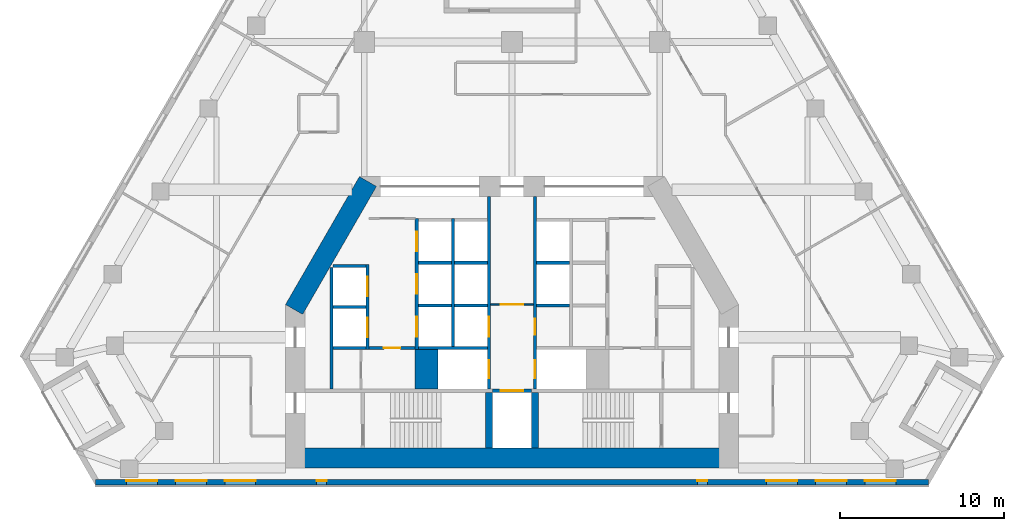
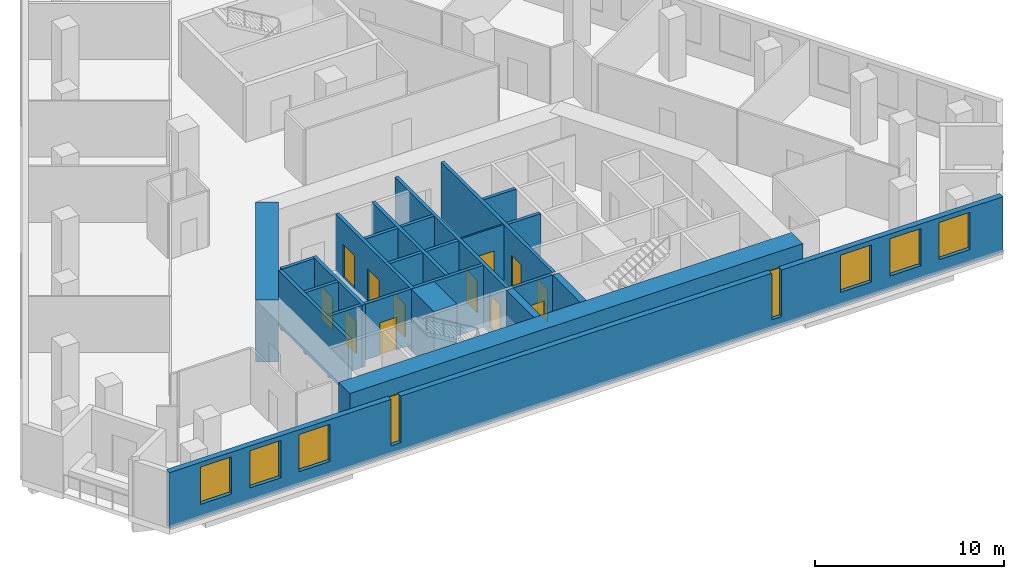
# One storey, part 4 of 10: 25 walls, 12 doors, 8 windows, 20 openings.
"""IFC4 building model written with IfcOpenShell, lengths in metres."""

import ifcopenshell
import ifcopenshell.guid

model = None  # the IFC model being written
_history = None  # IfcOwnerHistory: only IFC2X3 demands one
_inside = {}  # id of a spatial element -> (the spatial element, [elements in it])
_under = {}  # id of a project, library or spatial element -> (it, [spatial elements below it])
_declared = {}  # id of a project -> (the project, [libraries it declares])
_typed = {}  # id of a type object -> (the type object, [elements of that type])
_made_of = {}  # id of a material, layer set ... -> (it, [elements and type objects made of it])


def new_model(schema):
    """Start an empty IFC model of exactly this schema.

    Asked for "IFC4X3", IfcOpenShell would pick the latest addendum, in which some entities
    have other attributes; the version numbers below select the first issue.
    IFC2X3 requires an IfcOwnerHistory on every rooted entity: one is made here for all.
    """
    global model, _history
    if schema == "IFC4X3":
        model = ifcopenshell.file(schema_version=(4, 3, 0, 0))
    else:
        model = ifcopenshell.file(schema=schema)
    _inside.clear()
    _under.clear()
    _declared.clear()
    _typed.clear()
    _made_of.clear()
    _history = None
    if model.schema == "IFC2X3":
        org = make("IfcOrganization", Name="unknown")
        user = make(
            "IfcPersonAndOrganization",
            ThePerson=make("IfcPerson", FamilyName="unknown"),
            TheOrganization=org,
        )
        app = make(
            "IfcApplication",
            ApplicationDeveloper=org,
            Version="unknown",
            ApplicationFullName="unknown",
            ApplicationIdentifier="unknown",
        )
        _history = make(
            "IfcOwnerHistory",
            OwningUser=user,
            OwningApplication=app,
            ChangeAction="ADDED",
            CreationDate=0,
        )
    return model


def make(cls, **values):
    """One entity of the class cls with the attributes given. An attribute that is None is left unset."""
    return model.create_entity(
        cls, **{name: value for name, value in values.items() if value is not None}
    )


def rooted(cls, **values):
    """An entity with a GlobalId (a new one), such as an element, a storey or a relation."""
    return make(cls, GlobalId=ifcopenshell.guid.new(), OwnerHistory=_history, **values)


def si_unit(unit_type, name, prefix=None):
    """IfcSIUnit, for example si_unit("LENGTHUNIT", "METRE", prefix="MILLI")."""
    return make("IfcSIUnit", UnitType=unit_type, Prefix=prefix, Name=name)


def assignment(units):
    """IfcUnitAssignment: the units of a project."""
    return None if units is None else make("IfcUnitAssignment", Units=units)


def point(xyz):
    """IfcCartesianPoint."""
    return None if xyz is None else make("IfcCartesianPoint", Coordinates=xyz)


def direction(xyz):
    """IfcDirection."""
    return None if xyz is None else make("IfcDirection", DirectionRatios=xyz)


def frame(location, z_axis=None, x_axis=None):
    """IfcAxis2Placement3D, a coordinate frame: its origin and axes. An axis left out is left unset."""
    return make(
        "IfcAxis2Placement3D",
        Location=point(location),
        Axis=direction(z_axis),
        RefDirection=direction(x_axis),
    )


def frame_2d(location, x_axis=None):
    """IfcAxis2Placement2D, a coordinate frame in the plane: its origin and x axis."""
    return make(
        "IfcAxis2Placement2D", Location=point(location), RefDirection=direction(x_axis)
    )


def origin():
    """The frame at (0, 0, 0) with its axes left unset."""
    return frame((0.0, 0.0, 0.0))


def place(relative_to, where):
    """IfcLocalPlacement: puts the frame where relative to a parent placement (None: the world)."""
    return make(
        "IfcLocalPlacement", PlacementRelTo=relative_to, RelativePlacement=where
    )


def context(
    kind, dimensions, precision=None, world=None, true_north=None, identifier=None
):
    """IfcGeometricRepresentationContext, for example the 3D "Model" context."""
    return make(
        "IfcGeometricRepresentationContext",
        ContextIdentifier=identifier,
        ContextType=kind,
        CoordinateSpaceDimension=dimensions,
        Precision=precision,
        WorldCoordinateSystem=world,
        TrueNorth=true_north,
    )


def subcontext(parent, identifier, kind, view, scale=None):
    """IfcGeometricRepresentationSubContext, for example "Body" below "Model"."""
    return make(
        "IfcGeometricRepresentationSubContext",
        ContextIdentifier=identifier,
        ContextType=kind,
        ParentContext=parent,
        TargetScale=scale,
        TargetView=view,
    )


def project(units=None, contexts=None):
    """IfcProject with its units and contexts."""
    return rooted(
        "IfcProject",
        Name="project",
        RepresentationContexts=contexts,
        UnitsInContext=assignment(units),
    )


def spatial(cls, under=None, at=None, **own):
    """A site, building, storey or space (cls), placed at a placement, below another one or the project."""
    s = rooted(cls, ObjectPlacement=at, **own)
    if under is not None:
        _under.setdefault(under.id(), (under, []))[1].append(s)
    return s


def profile(cls, at=None, kind="AREA", **sizes):
    """A parametric profile (cls). Its sizes go by their IFC names, for example OverallWidth=200.0."""
    return make(cls, ProfileType=kind, Position=at, **sizes)


def rectangle(**sizes):
    """IfcRectangleProfileDef."""
    return profile("IfcRectangleProfileDef", **sizes)


def extrude(swept, where, along, depth):
    """IfcExtrudedAreaSolid: the profile swept, set in the frame where, extruded along a direction by depth."""
    return make(
        "IfcExtrudedAreaSolid",
        SweptArea=swept,
        Position=where,
        ExtrudedDirection=direction(along),
        Depth=depth,
    )


def shape(context_of_items, identifier, shape_type, items):
    """IfcShapeRepresentation: the items that make up one representation, for example the "Body"."""
    return make(
        "IfcShapeRepresentation",
        ContextOfItems=context_of_items,
        RepresentationIdentifier=identifier,
        RepresentationType=shape_type,
        Items=items,
    )


def material(Name=None, Category=None):
    """IfcMaterial."""
    return make("IfcMaterial", Name=Name, Category=Category)


def layer(
    of_material, thickness, ventilated=None, Name=None, Category=None, Priority=None
):
    """IfcMaterialLayer: one layer of a wall or slab, of a material (None: an air gap)."""
    return make(
        "IfcMaterialLayer",
        Material=of_material,
        LayerThickness=thickness,
        IsVentilated=ventilated,
        Name=Name,
        Category=Category,
        Priority=Priority,
    )


def layer_set(layers, Name=None):
    """IfcMaterialLayerSet."""
    return make("IfcMaterialLayerSet", MaterialLayers=layers, LayerSetName=Name)


def made_of(thing, what):
    """Note that an element or type object is made of a material, layer set ...; save() writes the relation."""
    if what is not None:
        _made_of.setdefault(what.id(), (what, []))[1].append(thing)
    return thing


def type_object(cls, material=None, **own):
    """A type object (cls), such as IfcWallType, which elements share."""
    return made_of(rooted(cls, **own), material)


def element(
    cls,
    number,
    at=None,
    inside=None,
    cuts=None,
    type_object=None,
    material=None,
    context=None,
    identifier="Body",
    shape_type=None,
    held_by="IfcProductDefinitionShape",
    body=None,
    shapes=None,
    **own,
):
    """One element of the class cls, such as IfcWall. Its Tag is "e" and its number.

    at: its placement. inside: the storey or other place that contains it. cuts: it is an
    opening in that element (IfcRelVoidsElement). A single representation is given by context,
    identifier, shape_type and body (its items); several are given by shapes. held_by: the class
    of the entity that holds the representations. save() writes the other relations.
    """
    e = rooted(cls, Tag="e%d" % number, ObjectPlacement=at, **own)
    if body is not None:
        shapes = [shape(context, identifier, shape_type, body)]
    if shapes is not None:
        e.Representation = make(held_by, Representations=shapes)
    if inside is not None:
        _inside.setdefault(inside.id(), (inside, []))[1].append(e)
    if cuts is not None:
        rooted(
            "IfcRelVoidsElement", RelatingBuildingElement=cuts, RelatedOpeningElement=e
        )
    if type_object is not None:
        _typed.setdefault(type_object.id(), (type_object, []))[1].append(e)
    return made_of(e, material)


def fill(opening, filler):
    """IfcRelFillsElement: the door or window that sits in an opening."""
    return rooted(
        "IfcRelFillsElement",
        RelatingOpeningElement=opening,
        RelatedBuildingElement=filler,
    )


def aggregate(whole, parts):
    """IfcRelAggregates: a whole, such as a stair, and the parts it consists of."""
    return rooted("IfcRelAggregates", RelatingObject=whole, RelatedObjects=parts)


def save(model, path):
    """Write the relations noted so far, then the file.

    IfcRelAggregates (storeys below a building ...), IfcRelContainedInSpatialStructure (elements
    in a storey), IfcRelDefinesByType, IfcRelAssociatesMaterial and IfcRelDeclares: one each for
    every whole, place, type object, material and project.
    """
    for whole, parts in _under.values():
        aggregate(whole, parts)
    for where, things in _inside.values():
        rooted(
            "IfcRelContainedInSpatialStructure",
            RelatedElements=things,
            RelatingStructure=where,
        )
    for kind, things in _typed.values():
        rooted("IfcRelDefinesByType", RelatedObjects=things, RelatingType=kind)
    for what, things in _made_of.values():
        rooted("IfcRelAssociatesMaterial", RelatedObjects=things, RelatingMaterial=what)
    for by, libraries in _declared.values():
        rooted("IfcRelDeclares", RelatingContext=by, RelatedDefinitions=libraries)
    model.write(path)


model = new_model("IFC4")

# Units and contexts
model_context = context("Model", 3, precision=1e-05, world=origin(), true_north=direction((0.0, 1.0)))
body_context = subcontext(model_context, "Body", "Model", "MODEL_VIEW")
ifc_project = project(units=[si_unit("LENGTHUNIT", "METRE"), si_unit("AREAUNIT", "SQUARE_METRE"), si_unit("VOLUMEUNIT", "CUBIC_METRE"), si_unit("PLANEANGLEUNIT", "RADIAN"), si_unit("MASSUNIT", "GRAM", prefix="KILO")], contexts=[model_context])

# Site, building, storey
site_placement = place(None, origin())
site = spatial("IfcSite", under=ifc_project, at=site_placement, CompositionType="ELEMENT")
building_placement = place(site_placement, origin())
building = spatial("IfcBuilding", under=site, at=building_placement, Name="Fogline Exchange Tower", CompositionType="ELEMENT")
storey_placement = place(building_placement, frame((0.0, 0.0, 128.10009765625)))
storey = spatial("IfcBuildingStorey", under=building, at=storey_placement, Name="L28", CompositionType="ELEMENT", Elevation=128.10009765625)

# Wall, opening, door
ifc_material_1 = material(Name="Blockwork partition", Category="masonry")
ifc_layer_1 = layer(ifc_material_1, 0.10009765625)
ifc_layer_set_1 = layer_set([ifc_layer_1], Name="CW10")
wall_type_1 = type_object("IfcWallType", Name="CW10", PredefinedType="PARTITIONING", material=ifc_layer_set_1)
wall_1_placement = place(storey_placement, frame((-1.300048828125, 11.0, 0.0), z_axis=(0.0, 0.0, 1.0), x_axis=(1.0, 0.0, 0.0)))
wall_1 = element("IfcWall", 1, at=wall_1_placement, inside=storey, type_object=wall_type_1, Name="Lift lobby partition", PredefinedType="PARTITIONING", context=body_context, shape_type="SweptSolid", body=[
    extrude(rectangle(XDim=2.60009765625, YDim=0.10009765625, at=frame_2d((1.300048828125, 0.0))), origin(), (0.0, 0.0, 1.0), 3.599853515625),
])
opening_1_placement = place(wall_1_placement, frame((0.60009765625, 0.0, 0.0)))
opening_1 = element("IfcOpeningElement", 2, at=opening_1_placement, cuts=wall_1, Name="Opening T08-C019", PredefinedType="OPENING", context=body_context, shape_type="SweptSolid", body=[
    extrude(rectangle(XDim=1.39990234375, YDim=2.10009765625, at=frame_2d((0.699951171875, 1.050048828125))), frame((0.0, 0.06005859375, 0.0), z_axis=(0.0, -1.0, 0.0), x_axis=(1.0, 0.0, 0.0)), (0.0, 0.0, 1.0), 0.1201171875),
])
ifc_material_2 = material(Name="Steel and timber fire door", Category="steel")
door_type_1 = type_object("IfcDoorType", Name="D-LB1", OperationType="DOUBLE_DOOR_SINGLE_SWING", PredefinedType="DOOR", material=ifc_material_2)
door_1_placement = place(opening_1_placement, frame((1.39990234375, 0.0, 0.0), z_axis=(0.0, 0.0, 1.0), x_axis=(-1.0, 0.0, 0.0)))
door_1 = element("IfcDoor", 3, at=door_1_placement, inside=storey, type_object=door_type_1, Name="Door to firefighting lift lobby", OperationType="DOUBLE_DOOR_SINGLE_SWING", OverallHeight=2.10009765625, OverallWidth=1.39990234375, PredefinedType="DOOR", context=body_context, shape_type="SweptSolid", body=[
    extrude(rectangle(XDim=1.39990234375, YDim=2.10009765625, at=frame_2d((0.699951171875, 1.050048828125))), frame((0.0, 0.02490234375, 0.0), z_axis=(0.0, -1.0, 0.0), x_axis=(1.0, 0.0, 0.0)), (0.0, 0.0, 1.0), 0.050048828125),
])
fill(opening_1, door_1)

# Walls
ifc_material_3 = material(Name="Concrete C60", Category="concrete")
ifc_layer_2 = layer(ifc_material_3, 1.39990234375)
ifc_layer_set_2 = layer_set([ifc_layer_2], Name="CW140")
wall_type_2 = type_object("IfcWallType", Name="CW140", PredefinedType="SOLIDWALL", material=ifc_layer_set_2)
wall_2_placement = place(storey_placement, frame((-5.199951171875, 5.85009765625, -0.400146484375), z_axis=(0.0, 0.0, 1.0), x_axis=(0.0, 1.0, 0.0)))
element("IfcWall", 4, at=wall_2_placement, inside=storey, type_object=wall_type_2, Name="Lift shaft block wall", PredefinedType="SOLIDWALL", context=body_context, shape_type="SweptSolid", body=[
    extrude(rectangle(XDim=2.39990234375, YDim=1.39990234375, at=frame_2d((1.199951171875, 0.0))), origin(), (0.0, 0.0, 1.0), 4.0),
])
ifc_material_4 = material(Name="Concrete C40", Category="concrete")
ifc_layer_3 = layer(ifc_material_4, 0.199951171875)
ifc_layer_set_3 = layer_set([ifc_layer_3], Name="CW20")
wall_type_3 = type_object("IfcWallType", Name="CW20", PredefinedType="SOLIDWALL", material=ifc_layer_set_3)
wall_3_placement = place(storey_placement, frame((-11.0, 5.85009765625, 0.0), z_axis=(0.0, 0.0, 1.0), x_axis=(0.0, 1.0, 0.0)))
element("IfcWall", 5, at=wall_3_placement, inside=storey, type_object=wall_type_3, Name="Service room wall", PredefinedType="SOLIDWALL", context=body_context, shape_type="SweptSolid", body=[
    extrude(rectangle(XDim=7.39990234375, YDim=0.199951171875, at=frame_2d((3.699951171875, 0.0))), origin(), (0.0, 0.0, 1.0), 3.599853515625),
])

# Wall, opening, door
wall_4_placement = place(storey_placement, frame((-8.699951171875, 8.35009765625, 0.0), z_axis=(0.0, 0.0, 1.0), x_axis=(1.0, 0.0, 0.0)))
wall_4 = element("IfcWall", 6, at=wall_4_placement, inside=storey, type_object=wall_type_3, Name="WC wall", PredefinedType="SOLIDWALL", context=body_context, shape_type="SweptSolid", body=[
    extrude(rectangle(XDim=2.800048828125, YDim=0.199951171875, at=frame_2d((1.39990234375, 0.0))), origin(), (0.0, 0.0, 1.0), 3.599853515625),
])
opening_2_placement = place(wall_4_placement, frame((0.89990234375, 0.0, 0.0)))
opening_2 = element("IfcOpeningElement", 7, at=opening_2_placement, cuts=wall_4, Name="Opening T08-C008", PredefinedType="OPENING", context=body_context, shape_type="SweptSolid", body=[
    extrude(rectangle(XDim=1.0, YDim=2.10009765625, at=frame_2d((0.5, 1.050048828125))), frame((0.0, 0.10986328125, 0.0), z_axis=(0.0, -1.0, 0.0), x_axis=(1.0, 0.0, 0.0)), (0.0, 0.0, 1.0), 0.219970703125),
])
door_type_2 = type_object("IfcDoorType", Name="D-WC1", OperationType="SINGLE_SWING_LEFT", PredefinedType="DOOR", material=ifc_material_2)
door_2_placement = place(opening_2_placement, frame((1.0, 0.0, 0.0), z_axis=(0.0, 0.0, 1.0), x_axis=(-1.0, 0.0, 0.0)))
door_2 = element("IfcDoor", 8, at=door_2_placement, inside=storey, type_object=door_type_2, Name="Door to Men's WC", OperationType="SINGLE_SWING_LEFT", OverallHeight=2.10009765625, OverallWidth=1.0, PredefinedType="DOOR", context=body_context, shape_type="SweptSolid", body=[
    extrude(rectangle(XDim=1.0, YDim=2.10009765625, at=frame_2d((0.5, 1.050048828125))), frame((0.0, 0.02490234375, 0.0), z_axis=(0.0, -1.0, 0.0), x_axis=(1.0, 0.0, 0.0)), (0.0, 0.0, 1.0), 0.050048828125),
])
fill(opening_2, door_2)

ifc_layer_4 = layer(ifc_material_4, 0.199951171875)
ifc_layer_set_4 = layer_set([ifc_layer_4], Name="CW20R")
wall_type_4 = type_object("IfcWallType", Name="CW20R", PredefinedType="SOLIDWALL", material=ifc_layer_set_4)
wall_5_placement = place(storey_placement, frame((-1.199951171875, 5.75, -0.400146484375), z_axis=(0.0, 0.0, 1.0), x_axis=(1.0, 0.0, 0.0)))
wall_5 = element("IfcWall", 9, at=wall_5_placement, inside=storey, type_object=wall_type_4, Name="Stair enclosure wall", PredefinedType="SOLIDWALL", context=body_context, shape_type="SweptSolid", body=[
    extrude(rectangle(XDim=2.39990234375, YDim=0.199951171875, at=frame_2d((1.199951171875, 0.0))), origin(), (0.0, 0.0, 1.0), 4.0),
])
opening_3_placement = place(wall_5_placement, frame((0.5, 0.0, 0.39990234375)))
opening_3 = element("IfcOpeningElement", 10, at=opening_3_placement, cuts=wall_5, Name="Opening T08-LD09", PredefinedType="OPENING", context=body_context, shape_type="SweptSolid", body=[
    extrude(rectangle(XDim=1.39990234375, YDim=2.10009765625, at=frame_2d((0.699951171875, 1.050048828125))), frame((0.0, 0.10986328125, 0.0), z_axis=(0.0, -1.0, 0.0), x_axis=(1.0, 0.0, 0.0)), (0.0, 0.0, 1.0), 0.219970703125),
])
door_type_3 = type_object("IfcDoorType", Name="LD3", OperationType="SLIDING_TO_LEFT", PredefinedType="DOOR", material=ifc_material_2)
door_3_placement = place(opening_3_placement, origin())
door_3 = element("IfcDoor", 11, at=door_3_placement, inside=storey, type_object=door_type_3, Name="Landing door GL1", OperationType="SLIDING_TO_LEFT", OverallHeight=2.10009765625, OverallWidth=1.39990234375, PredefinedType="DOOR", context=body_context, shape_type="SweptSolid", body=[
    extrude(rectangle(XDim=1.39990234375, YDim=2.10009765625, at=frame_2d((0.699951171875, 1.050048828125))), frame((0.0, 0.02490234375, 0.0), z_axis=(0.0, -1.0, 0.0), x_axis=(1.0, 0.0, 0.0)), (0.0, 0.0, 1.0), 0.050048828125),
])
fill(opening_3, door_3)

# Wall, openings, doors
ifc_layer_5 = layer(ifc_material_4, 0.199951171875)
ifc_layer_set_5 = layer_set([ifc_layer_5], Name="CW20S")
wall_type_5 = type_object("IfcWallType", Name="CW20S", PredefinedType="SOLIDWALL", material=ifc_layer_set_5)
wall_6_placement = place(storey_placement, frame((-8.800048828125, 8.25, -0.400146484375), z_axis=(0.0, 0.0, 1.0), x_axis=(0.0, 1.0, 0.0)))
wall_6 = element("IfcWall", 12, at=wall_6_placement, inside=storey, type_object=wall_type_5, Name="Lift shaft wall", PredefinedType="SOLIDWALL", context=body_context, shape_type="SweptSolid", body=[
    extrude(rectangle(XDim=5.199951171875, YDim=0.199951171875, at=frame_2d((2.60009765625, 0.0))), origin(), (0.0, 0.0, 1.0), 4.0),
])
opening_4_placement = place(wall_6_placement, frame((0.75, 0.0, 0.39990234375)))
opening_4 = element("IfcOpeningElement", 13, at=opening_4_placement, cuts=wall_6, Name="Opening T08-LD01", PredefinedType="OPENING", context=body_context, shape_type="SweptSolid", body=[
    extrude(rectangle(XDim=1.199951171875, YDim=2.10009765625, at=frame_2d((0.60009765625, 1.050048828125))), frame((0.0, 0.10986328125, 0.0), z_axis=(0.0, -1.0, 0.0), x_axis=(1.0, 0.0, 0.0)), (0.0, 0.0, 1.0), 0.219970703125),
])
opening_5_placement = place(wall_6_placement, frame((3.25, 0.0, 0.39990234375)))
opening_5 = element("IfcOpeningElement", 14, at=opening_5_placement, cuts=wall_6, Name="Opening T08-LD02", PredefinedType="OPENING", context=body_context, shape_type="SweptSolid", body=[
    extrude(rectangle(XDim=1.199951171875, YDim=2.10009765625, at=frame_2d((0.60009765625, 1.050048828125))), frame((0.0, 0.10986328125, 0.0), z_axis=(0.0, -1.0, 0.0), x_axis=(1.0, 0.0, 0.0)), (0.0, 0.0, 1.0), 0.219970703125),
])
door_type_4 = type_object("IfcDoorType", Name="LD1", OperationType="SLIDING_TO_LEFT", PredefinedType="DOOR", material=ifc_material_2)
door_4_placement = place(opening_4_placement, origin())
door_4 = element("IfcDoor", 15, at=door_4_placement, inside=storey, type_object=door_type_4, Name="Landing door LR1", OperationType="SLIDING_TO_LEFT", OverallHeight=2.10009765625, OverallWidth=1.199951171875, PredefinedType="DOOR", context=body_context, shape_type="SweptSolid", body=[
    extrude(rectangle(XDim=1.199951171875, YDim=2.10009765625, at=frame_2d((0.60009765625, 1.050048828125))), frame((0.0, 0.02490234375, 0.0), z_axis=(0.0, -1.0, 0.0), x_axis=(1.0, 0.0, 0.0)), (0.0, 0.0, 1.0), 0.050048828125),
])
fill(opening_4, door_4)
door_5_placement = place(opening_5_placement, origin())
door_5 = element("IfcDoor", 16, at=door_5_placement, inside=storey, type_object=door_type_4, Name="Landing door LR2", OperationType="SLIDING_TO_LEFT", OverallHeight=2.10009765625, OverallWidth=1.199951171875, PredefinedType="DOOR", context=body_context, shape_type="SweptSolid", body=[
    extrude(rectangle(XDim=1.199951171875, YDim=2.10009765625, at=frame_2d((0.60009765625, 1.050048828125))), frame((0.0, 0.02490234375, 0.0), z_axis=(0.0, -1.0, 0.0), x_axis=(1.0, 0.0, 0.0)), (0.0, 0.0, 1.0), 0.050048828125),
])
fill(opening_5, door_5)

wall_7_placement = place(storey_placement, frame((-5.800048828125, 8.25, -0.400146484375), z_axis=(0.0, 0.0, 1.0), x_axis=(0.0, 1.0, 0.0)))
wall_7 = element("IfcWall", 17, at=wall_7_placement, inside=storey, type_object=wall_type_5, Name="Lift shaft wall", PredefinedType="SOLIDWALL", context=body_context, shape_type="SweptSolid", body=[
    extrude(rectangle(XDim=8.0, YDim=0.199951171875, at=frame_2d((4.0, 0.0))), origin(), (0.0, 0.0, 1.0), 4.0),
])
opening_6_placement = place(wall_7_placement, frame((0.800048828125, 0.0, 0.39990234375)))
opening_6 = element("IfcOpeningElement", 18, at=opening_6_placement, cuts=wall_7, Name="Opening T08-LD03", PredefinedType="OPENING", context=body_context, shape_type="SweptSolid", body=[
    extrude(rectangle(XDim=1.199951171875, YDim=2.10009765625, at=frame_2d((0.60009765625, 1.050048828125))), frame((0.0, 0.10986328125, 0.0), z_axis=(0.0, -1.0, 0.0), x_axis=(1.0, 0.0, 0.0)), (0.0, 0.0, 1.0), 0.219970703125),
])
opening_7_placement = place(wall_7_placement, frame((3.39990234375, 0.0, 0.39990234375)))
opening_7 = element("IfcOpeningElement", 19, at=opening_7_placement, cuts=wall_7, Name="Opening T08-LD04", PredefinedType="OPENING", context=body_context, shape_type="SweptSolid", body=[
    extrude(rectangle(XDim=1.199951171875, YDim=2.10009765625, at=frame_2d((0.60009765625, 1.050048828125))), frame((0.0, 0.10986328125, 0.0), z_axis=(0.0, -1.0, 0.0), x_axis=(1.0, 0.0, 0.0)), (0.0, 0.0, 1.0), 0.219970703125),
])
opening_8_placement = place(wall_7_placement, frame((6.0, 0.0, 0.39990234375)))
opening_8 = element("IfcOpeningElement", 20, at=opening_8_placement, cuts=wall_7, Name="Opening T08-LD05", PredefinedType="OPENING", context=body_context, shape_type="SweptSolid", body=[
    extrude(rectangle(XDim=1.199951171875, YDim=2.10009765625, at=frame_2d((0.60009765625, 1.050048828125))), frame((0.0, 0.10986328125, 0.0), z_axis=(0.0, -1.0, 0.0), x_axis=(1.0, 0.0, 0.0)), (0.0, 0.0, 1.0), 0.219970703125),
])
door_6_placement = place(opening_6_placement, origin())
door_6 = element("IfcDoor", 21, at=door_6_placement, inside=storey, type_object=door_type_4, Name="Landing door LR3", OperationType="SLIDING_TO_LEFT", OverallHeight=2.10009765625, OverallWidth=1.199951171875, PredefinedType="DOOR", context=body_context, shape_type="SweptSolid", body=[
    extrude(rectangle(XDim=1.199951171875, YDim=2.10009765625, at=frame_2d((0.60009765625, 1.050048828125))), frame((0.0, 0.02490234375, 0.0), z_axis=(0.0, -1.0, 0.0), x_axis=(1.0, 0.0, 0.0)), (0.0, 0.0, 1.0), 0.050048828125),
])
fill(opening_6, door_6)
door_7_placement = place(opening_7_placement, origin())
door_7 = element("IfcDoor", 22, at=door_7_placement, inside=storey, type_object=door_type_4, Name="Landing door LR4", OperationType="SLIDING_TO_LEFT", OverallHeight=2.10009765625, OverallWidth=1.199951171875, PredefinedType="DOOR", context=body_context, shape_type="SweptSolid", body=[
    extrude(rectangle(XDim=1.199951171875, YDim=2.10009765625, at=frame_2d((0.60009765625, 1.050048828125))), frame((0.0, 0.02490234375, 0.0), z_axis=(0.0, -1.0, 0.0), x_axis=(1.0, 0.0, 0.0)), (0.0, 0.0, 1.0), 0.050048828125),
])
fill(opening_7, door_7)
door_8_placement = place(opening_8_placement, origin())
door_8 = element("IfcDoor", 23, at=door_8_placement, inside=storey, type_object=door_type_4, Name="Landing door LR5", OperationType="SLIDING_TO_LEFT", OverallHeight=2.10009765625, OverallWidth=1.199951171875, PredefinedType="DOOR", context=body_context, shape_type="SweptSolid", body=[
    extrude(rectangle(XDim=1.199951171875, YDim=2.10009765625, at=frame_2d((0.60009765625, 1.050048828125))), frame((0.0, 0.02490234375, 0.0), z_axis=(0.0, -1.0, 0.0), x_axis=(1.0, 0.0, 0.0)), (0.0, 0.0, 1.0), 0.050048828125),
])
fill(opening_8, door_8)

# Wall
wall_8_placement = place(storey_placement, frame((-3.60009765625, 8.449951171875, -0.400146484375), z_axis=(0.0, 0.0, 1.0), x_axis=(0.0, 1.0, 0.0)))
element("IfcWall", 24, at=wall_8_placement, inside=storey, type_object=wall_type_5, Name="Lift shaft wall", PredefinedType="SOLIDWALL", context=body_context, shape_type="SweptSolid", body=[
    extrude(rectangle(XDim=7.800048828125, YDim=0.199951171875, at=frame_2d((3.89990234375, 0.0))), origin(), (0.0, 0.0, 1.0), 4.0),
])

# Wall, openings, doors
wall_9_placement = place(storey_placement, frame((-1.39990234375, 5.85009765625, -0.400146484375), z_axis=(0.0, 0.0, 1.0), x_axis=(0.0, 1.0, 0.0)))
wall_9 = element("IfcWall", 25, at=wall_9_placement, inside=storey, type_object=wall_type_5, Name="Lift lobby wall", PredefinedType="SOLIDWALL", context=body_context, shape_type="SweptSolid", body=[
    extrude(rectangle(XDim=11.75, YDim=0.199951171875, at=frame_2d((5.875, 0.0))), origin(), (0.0, 0.0, 1.0), 4.0),
])
opening_9_placement = place(wall_9_placement, frame((3.199951171875, 0.0, 0.39990234375)))
opening_9 = element("IfcOpeningElement", 26, at=opening_9_placement, cuts=wall_9, Name="Opening T08-LD06", PredefinedType="OPENING", context=body_context, shape_type="SweptSolid", body=[
    extrude(rectangle(XDim=1.199951171875, YDim=2.10009765625, at=frame_2d((0.60009765625, 1.050048828125))), frame((0.0, 0.10986328125, 0.0), z_axis=(0.0, -1.0, 0.0), x_axis=(1.0, 0.0, 0.0)), (0.0, 0.0, 1.0), 0.219970703125),
])
opening_10_placement = place(wall_9_placement, frame((0.64990234375, 0.0, 0.39990234375)))
opening_10 = element("IfcOpeningElement", 27, at=opening_10_placement, cuts=wall_9, Name="Opening T08-LD07", PredefinedType="OPENING", context=body_context, shape_type="SweptSolid", body=[
    extrude(rectangle(XDim=1.10009765625, YDim=2.10009765625, at=frame_2d((0.550048828125, 1.050048828125))), frame((0.0, 0.10986328125, 0.0), z_axis=(0.0, -1.0, 0.0), x_axis=(1.0, 0.0, 0.0)), (0.0, 0.0, 1.0), 0.219970703125),
])
door_9_placement = place(opening_9_placement, origin())
door_9 = element("IfcDoor", 28, at=door_9_placement, inside=storey, type_object=door_type_4, Name="Landing door LR6", OperationType="SLIDING_TO_LEFT", OverallHeight=2.10009765625, OverallWidth=1.199951171875, PredefinedType="DOOR", context=body_context, shape_type="SweptSolid", body=[
    extrude(rectangle(XDim=1.199951171875, YDim=2.10009765625, at=frame_2d((0.60009765625, 1.050048828125))), frame((0.0, 0.02490234375, 0.0), z_axis=(0.0, -1.0, 0.0), x_axis=(1.0, 0.0, 0.0)), (0.0, 0.0, 1.0), 0.050048828125),
])
fill(opening_9, door_9)
door_type_5 = type_object("IfcDoorType", Name="LD2", OperationType="SLIDING_TO_RIGHT", PredefinedType="DOOR", material=ifc_material_2)
door_10_placement = place(opening_10_placement, origin())
door_10 = element("IfcDoor", 29, at=door_10_placement, inside=storey, type_object=door_type_5, Name="Landing door FF1", OperationType="SLIDING_TO_RIGHT", OverallHeight=2.10009765625, OverallWidth=1.10009765625, PredefinedType="DOOR", context=body_context, shape_type="SweptSolid", body=[
    extrude(rectangle(XDim=1.10009765625, YDim=2.10009765625, at=frame_2d((0.550048828125, 1.050048828125))), frame((0.0, 0.02490234375, 0.0), z_axis=(0.0, -1.0, 0.0), x_axis=(1.0, 0.0, 0.0)), (0.0, 0.0, 1.0), 0.050048828125),
])
fill(opening_10, door_10)

wall_10_placement = place(storey_placement, frame((1.39990234375, 5.85009765625, -0.400146484375), z_axis=(0.0, 0.0, 1.0), x_axis=(0.0, 1.0, 0.0)))
wall_10 = element("IfcWall", 30, at=wall_10_placement, inside=storey, type_object=wall_type_5, Name="Lift lobby wall", PredefinedType="SOLIDWALL", context=body_context, shape_type="SweptSolid", body=[
    extrude(rectangle(XDim=11.75, YDim=0.199951171875, at=frame_2d((5.875, 0.0))), origin(), (0.0, 0.0, 1.0), 4.0),
])
opening_11_placement = place(wall_10_placement, frame((0.64990234375, 0.0, 0.39990234375)))
opening_11 = element("IfcOpeningElement", 31, at=opening_11_placement, cuts=wall_10, Name="Opening T08-LD08", PredefinedType="OPENING", context=body_context, shape_type="SweptSolid", body=[
    extrude(rectangle(XDim=1.10009765625, YDim=2.10009765625, at=frame_2d((0.550048828125, 1.050048828125))), frame((0.0, 0.10986328125, 0.0), z_axis=(0.0, -1.0, 0.0), x_axis=(1.0, 0.0, 0.0)), (0.0, 0.0, 1.0), 0.219970703125),
])
opening_12_placement = place(wall_10_placement, frame((3.300048828125, 0.0, 0.39990234375)))
opening_12 = element("IfcOpeningElement", 32, at=opening_12_placement, cuts=wall_10, Name="Opening T08-C006", PredefinedType="OPENING", context=body_context, shape_type="SweptSolid", body=[
    extrude(rectangle(XDim=1.0, YDim=2.10009765625, at=frame_2d((0.5, 1.050048828125))), frame((0.0, 0.10986328125, 0.0), z_axis=(0.0, -1.0, 0.0), x_axis=(1.0, 0.0, 0.0)), (0.0, 0.0, 1.0), 0.219970703125),
])
door_type_6 = type_object("IfcDoorType", Name="D-RM1", OperationType="SINGLE_SWING_LEFT", PredefinedType="DOOR", material=ifc_material_2)
door_11_placement = place(opening_12_placement, frame((1.0, 0.0, 0.0), z_axis=(0.0, 0.0, 1.0), x_axis=(-1.0, 0.0, 0.0)))
door_11 = element("IfcDoor", 33, at=door_11_placement, inside=storey, type_object=door_type_6, Name="Door to Archive Store", OperationType="SINGLE_SWING_RIGHT", OverallHeight=2.10009765625, OverallWidth=1.0, PredefinedType="DOOR", context=body_context, shape_type="SweptSolid", body=[
    extrude(rectangle(XDim=1.0, YDim=2.10009765625, at=frame_2d((0.5, 1.050048828125))), frame((0.0, 0.02490234375, 0.0), z_axis=(0.0, -1.0, 0.0), x_axis=(1.0, 0.0, 0.0)), (0.0, 0.0, 1.0), 0.050048828125),
])
fill(opening_12, door_11)
door_12_placement = place(opening_11_placement, origin())
door_12 = element("IfcDoor", 34, at=door_12_placement, inside=storey, type_object=door_type_5, Name="Landing door FF2", OperationType="SLIDING_TO_RIGHT", OverallHeight=2.10009765625, OverallWidth=1.10009765625, PredefinedType="DOOR", context=body_context, shape_type="SweptSolid", body=[
    extrude(rectangle(XDim=1.10009765625, YDim=2.10009765625, at=frame_2d((0.550048828125, 1.050048828125))), frame((0.0, 0.02490234375, 0.0), z_axis=(0.0, -1.0, 0.0), x_axis=(1.0, 0.0, 0.0)), (0.0, 0.0, 1.0), 0.050048828125),
])
fill(opening_11, door_12)

# Walls
wall_11_placement = place(storey_placement, frame((-10.89990234375, 8.35009765625, -0.400146484375), z_axis=(0.0, 0.0, 1.0), x_axis=(1.0, 0.0, 0.0)))
element("IfcWall", 35, at=wall_11_placement, inside=storey, type_object=wall_type_5, Name="Lift shaft wall", PredefinedType="SOLIDWALL", context=body_context, shape_type="SweptSolid", body=[
    extrude(rectangle(XDim=2.0, YDim=0.199951171875, at=frame_2d((1.0, 0.0))), origin(), (0.0, 0.0, 1.0), 4.0),
])
wall_12_placement = place(storey_placement, frame((-5.699951171875, 8.35009765625, -0.400146484375), z_axis=(0.0, 0.0, 1.0), x_axis=(1.0, 0.0, 0.0)))
element("IfcWall", 36, at=wall_12_placement, inside=storey, type_object=wall_type_5, Name="Lift shaft wall", PredefinedType="SOLIDWALL", context=body_context, shape_type="SweptSolid", body=[
    extrude(rectangle(XDim=4.199951171875, YDim=0.199951171875, at=frame_2d((2.10009765625, 0.0))), origin(), (0.0, 0.0, 1.0), 4.0),
])
for number, where, z_axis, x_axis, name in (
    (37, (-10.89990234375, 10.85009765625, -0.400146484375), (0.0, 0.0, 1.0), (1.0, 0.0, 0.0), "Lift shaft wall"),
    (38, (-10.89990234375, 13.35009765625, -0.400146484375), (0.0, 0.0, 1.0), (1.0, 0.0, 0.0), "Lift shaft wall"),
    (39, (-5.699951171875, 10.949951171875, -0.400146484375), (0.0, 0.0, 1.0), (1.0, 0.0, 0.0), "Lift shaft wall"),
    (40, (-5.699951171875, 13.550048828125, -0.400146484375), (0.0, 0.0, 1.0), (1.0, 0.0, 0.0), "Lift shaft wall"),
    (41, (-3.5, 10.949951171875, -0.400146484375), (0.0, 0.0, 1.0), (1.0, 0.0, 0.0), "Lift shaft wall"),
    (42, (-3.5, 13.550048828125, -0.400146484375), (0.0, 0.0, 1.0), (1.0, 0.0, 0.0), "Lift shaft wall"),
    (43, (1.5, 10.949951171875, -0.400146484375), (0.0, 0.0, 1.0), (1.0, 0.0, 0.0), "Lift shaft wall"),
    (44, (1.5, 13.550048828125, -0.400146484375), (0.0, 0.0, 1.0), (1.0, 0.0, 0.0), "Lift shaft wall"),
):
    element("IfcWall", number, at=place(storey_placement, frame(where, z_axis=z_axis, x_axis=x_axis)), inside=storey, type_object=wall_type_5, Name=name, PredefinedType="SOLIDWALL", context=body_context, shape_type="SweptSolid", body=[
        extrude(rectangle(XDim=2.0, YDim=0.199951171875, at=frame_2d((1.0, 0.0))), origin(), (0.0, 0.0, 1.0), 4.0),
    ])
ifc_layer_6 = layer(ifc_material_4, 0.39990234375)
ifc_layer_set_6 = layer_set([ifc_layer_6], Name="CW40R")
wall_type_6 = type_object("IfcWallType", Name="CW40R", PredefinedType="SOLIDWALL", material=ifc_layer_set_6)
for number, where, z_axis, x_axis, name in (
    (45, (-1.39990234375, 2.25, -0.400146484375), (0.0, 0.0, 1.0), (0.0, 1.0, 0.0), "Stair and lift shaft wall"),
    (46, (1.39990234375, 2.25, -0.400146484375), (0.0, 0.0, 1.0), (0.0, 1.0, 0.0), "Stair and lift shaft wall"),
):
    element("IfcWall", number, at=place(storey_placement, frame(where, z_axis=z_axis, x_axis=x_axis)), inside=storey, type_object=wall_type_6, Name=name, PredefinedType="SOLIDWALL", context=body_context, shape_type="SweptSolid", body=[
        extrude(rectangle(XDim=3.39990234375, YDim=0.39990234375, at=frame_2d((1.699951171875, 0.0))), origin(), (0.0, 0.0, 1.0), 4.0),
    ])

# Wall, openings, windows
ifc_material_5 = material(Name="Brick masonry", Category="masonry")
ifc_layer_7 = layer(ifc_material_5, 0.340087890625)
ifc_layer_set_7 = layer_set([ifc_layer_7], Name="FW1")
wall_type_7 = type_object("IfcWallType", Name="FW1", PredefinedType="SOLIDWALL", material=ifc_layer_set_7)
wall_13_placement = place(storey_placement, frame((-25.393310546875, 0.169921875, 0.0), z_axis=(0.0, 0.0, 1.0), x_axis=(1.0, 0.0, 0.0)))
wall_13 = element("IfcWall", 47, at=wall_13_placement, inside=storey, type_object=wall_type_7, Name="Brick wall L28 S", PredefinedType="SOLIDWALL", context=body_context, shape_type="SweptSolid", body=[
    extrude(rectangle(XDim=50.78662109375, YDim=0.340087890625, at=frame_2d((25.393310546875, 0.0))), origin(), (0.0, 0.0, 1.0), 3.599853515625),
])
opening_13_placement = place(wall_13_placement, frame((1.893310546875, 0.0, 0.89990234375)))
opening_13 = element("IfcOpeningElement", 48, at=opening_13_placement, cuts=wall_13, Name="Opening W1", PredefinedType="OPENING", context=body_context, shape_type="SweptSolid", body=[
    extrude(rectangle(XDim=1.885009765625, YDim=2.39990234375, at=frame_2d((0.9423828125, 1.199951171875))), frame((0.0, 0.18017578125, 0.0), z_axis=(0.0, -1.0, 0.0), x_axis=(1.0, 0.0, 0.0)), (0.0, 0.0, 1.0), 0.360107421875),
])
opening_14_placement = place(wall_13_placement, frame((4.893310546875, 0.0, 0.89990234375)))
opening_14 = element("IfcOpeningElement", 49, at=opening_14_placement, cuts=wall_13, Name="Opening W1", PredefinedType="OPENING", context=body_context, shape_type="SweptSolid", body=[
    extrude(rectangle(XDim=1.885009765625, YDim=2.39990234375, at=frame_2d((0.9423828125, 1.199951171875))), frame((0.0, 0.18017578125, 0.0), z_axis=(0.0, -1.0, 0.0), x_axis=(1.0, 0.0, 0.0)), (0.0, 0.0, 1.0), 0.360107421875),
])
opening_15_placement = place(wall_13_placement, frame((7.893310546875, 0.0, 0.89990234375)))
opening_15 = element("IfcOpeningElement", 50, at=opening_15_placement, cuts=wall_13, Name="Opening W1", PredefinedType="OPENING", context=body_context, shape_type="SweptSolid", body=[
    extrude(rectangle(XDim=1.885009765625, YDim=2.39990234375, at=frame_2d((0.9423828125, 1.199951171875))), frame((0.0, 0.18017578125, 0.0), z_axis=(0.0, -1.0, 0.0), x_axis=(1.0, 0.0, 0.0)), (0.0, 0.0, 1.0), 0.360107421875),
])
opening_16_placement = place(wall_13_placement, frame((40.893310546875, 0.0, 0.89990234375)))
opening_16 = element("IfcOpeningElement", 51, at=opening_16_placement, cuts=wall_13, Name="Opening W1", PredefinedType="OPENING", context=body_context, shape_type="SweptSolid", body=[
    extrude(rectangle(XDim=1.885009765625, YDim=2.39990234375, at=frame_2d((0.9423828125, 1.199951171875))), frame((0.0, 0.18017578125, 0.0), z_axis=(0.0, -1.0, 0.0), x_axis=(1.0, 0.0, 0.0)), (0.0, 0.0, 1.0), 0.360107421875),
])
opening_17_placement = place(wall_13_placement, frame((43.893310546875, 0.0, 0.89990234375)))
opening_17 = element("IfcOpeningElement", 52, at=opening_17_placement, cuts=wall_13, Name="Opening W1", PredefinedType="OPENING", context=body_context, shape_type="SweptSolid", body=[
    extrude(rectangle(XDim=1.885009765625, YDim=2.39990234375, at=frame_2d((0.9423828125, 1.199951171875))), frame((0.0, 0.18017578125, 0.0), z_axis=(0.0, -1.0, 0.0), x_axis=(1.0, 0.0, 0.0)), (0.0, 0.0, 1.0), 0.360107421875),
])
opening_18_placement = place(wall_13_placement, frame((46.893310546875, 0.0, 0.89990234375)))
opening_18 = element("IfcOpeningElement", 53, at=opening_18_placement, cuts=wall_13, Name="Opening W1", PredefinedType="OPENING", context=body_context, shape_type="SweptSolid", body=[
    extrude(rectangle(XDim=1.885009765625, YDim=2.39990234375, at=frame_2d((0.9423828125, 1.199951171875))), frame((0.0, 0.18017578125, 0.0), z_axis=(0.0, -1.0, 0.0), x_axis=(1.0, 0.0, 0.0)), (0.0, 0.0, 1.0), 0.360107421875),
])
opening_19_placement = place(wall_13_placement, frame((13.4931640625, 0.0, 0.60009765625)))
opening_19 = element("IfcOpeningElement", 54, at=opening_19_placement, cuts=wall_13, Name="Opening W5", PredefinedType="OPENING", context=body_context, shape_type="SweptSolid", body=[
    extrude(rectangle(XDim=0.60009765625, YDim=3.0, at=frame_2d((0.300048828125, 1.5))), frame((0.0, 0.18017578125, 0.0), z_axis=(0.0, -1.0, 0.0), x_axis=(1.0, 0.0, 0.0)), (0.0, 0.0, 1.0), 0.360107421875),
])
opening_20_placement = place(wall_13_placement, frame((36.693359375, 0.0, 0.60009765625)))
opening_20 = element("IfcOpeningElement", 55, at=opening_20_placement, cuts=wall_13, Name="Opening W5", PredefinedType="OPENING", context=body_context, shape_type="SweptSolid", body=[
    extrude(rectangle(XDim=0.60009765625, YDim=3.0, at=frame_2d((0.300048828125, 1.5))), frame((0.0, 0.18017578125, 0.0), z_axis=(0.0, -1.0, 0.0), x_axis=(1.0, 0.0, 0.0)), (0.0, 0.0, 1.0), 0.360107421875),
])
ifc_material_6 = material(Name="Aluminium and glass", Category="aluminium")
window_type_1 = type_object("IfcWindowType", Name="W1", PartitioningType="SINGLE_PANEL", PredefinedType="WINDOW", material=ifc_material_6)
window_1_placement = place(opening_13_placement, origin())
window_1 = element("IfcWindow", 56, at=window_1_placement, inside=storey, type_object=window_type_1, Name="W1 W1", OverallHeight=2.39990234375, OverallWidth=1.885009765625, PartitioningType="SINGLE_PANEL", PredefinedType="WINDOW", context=body_context, shape_type="SweptSolid", body=[
    extrude(rectangle(XDim=1.885009765625, YDim=2.39990234375, at=frame_2d((0.9423828125, 1.199951171875))), frame((0.0, 0.110107421875, 0.0), z_axis=(0.0, -1.0, 0.0), x_axis=(1.0, 0.0, 0.0)), (0.0, 0.0, 1.0), 0.06005859375),
])
fill(opening_13, window_1)
window_2_placement = place(opening_14_placement, origin())
window_2 = element("IfcWindow", 57, at=window_2_placement, inside=storey, type_object=window_type_1, Name="W1 W1", OverallHeight=2.39990234375, OverallWidth=1.885009765625, PartitioningType="SINGLE_PANEL", PredefinedType="WINDOW", context=body_context, shape_type="SweptSolid", body=[
    extrude(rectangle(XDim=1.885009765625, YDim=2.39990234375, at=frame_2d((0.9423828125, 1.199951171875))), frame((0.0, 0.110107421875, 0.0), z_axis=(0.0, -1.0, 0.0), x_axis=(1.0, 0.0, 0.0)), (0.0, 0.0, 1.0), 0.06005859375),
])
fill(opening_14, window_2)
window_3_placement = place(opening_15_placement, origin())
window_3 = element("IfcWindow", 58, at=window_3_placement, inside=storey, type_object=window_type_1, Name="W1 W1", OverallHeight=2.39990234375, OverallWidth=1.885009765625, PartitioningType="SINGLE_PANEL", PredefinedType="WINDOW", context=body_context, shape_type="SweptSolid", body=[
    extrude(rectangle(XDim=1.885009765625, YDim=2.39990234375, at=frame_2d((0.9423828125, 1.199951171875))), frame((0.0, 0.110107421875, 0.0), z_axis=(0.0, -1.0, 0.0), x_axis=(1.0, 0.0, 0.0)), (0.0, 0.0, 1.0), 0.06005859375),
])
fill(opening_15, window_3)
window_4_placement = place(opening_16_placement, origin())
window_4 = element("IfcWindow", 59, at=window_4_placement, inside=storey, type_object=window_type_1, Name="W1 W1", OverallHeight=2.39990234375, OverallWidth=1.885009765625, PartitioningType="SINGLE_PANEL", PredefinedType="WINDOW", context=body_context, shape_type="SweptSolid", body=[
    extrude(rectangle(XDim=1.885009765625, YDim=2.39990234375, at=frame_2d((0.9423828125, 1.199951171875))), frame((0.0, 0.110107421875, 0.0), z_axis=(0.0, -1.0, 0.0), x_axis=(1.0, 0.0, 0.0)), (0.0, 0.0, 1.0), 0.06005859375),
])
fill(opening_16, window_4)
window_5_placement = place(opening_17_placement, origin())
window_5 = element("IfcWindow", 60, at=window_5_placement, inside=storey, type_object=window_type_1, Name="W1 W1", OverallHeight=2.39990234375, OverallWidth=1.885009765625, PartitioningType="SINGLE_PANEL", PredefinedType="WINDOW", context=body_context, shape_type="SweptSolid", body=[
    extrude(rectangle(XDim=1.885009765625, YDim=2.39990234375, at=frame_2d((0.9423828125, 1.199951171875))), frame((0.0, 0.110107421875, 0.0), z_axis=(0.0, -1.0, 0.0), x_axis=(1.0, 0.0, 0.0)), (0.0, 0.0, 1.0), 0.06005859375),
])
fill(opening_17, window_5)
window_6_placement = place(opening_18_placement, origin())
window_6 = element("IfcWindow", 61, at=window_6_placement, inside=storey, type_object=window_type_1, Name="W1 W1", OverallHeight=2.39990234375, OverallWidth=1.885009765625, PartitioningType="SINGLE_PANEL", PredefinedType="WINDOW", context=body_context, shape_type="SweptSolid", body=[
    extrude(rectangle(XDim=1.885009765625, YDim=2.39990234375, at=frame_2d((0.9423828125, 1.199951171875))), frame((0.0, 0.110107421875, 0.0), z_axis=(0.0, -1.0, 0.0), x_axis=(1.0, 0.0, 0.0)), (0.0, 0.0, 1.0), 0.06005859375),
])
fill(opening_18, window_6)
window_type_2 = type_object("IfcWindowType", Name="W5", PartitioningType="SINGLE_PANEL", PredefinedType="WINDOW", material=ifc_material_6)
window_7_placement = place(opening_19_placement, origin())
window_7 = element("IfcWindow", 62, at=window_7_placement, inside=storey, type_object=window_type_2, Name="W5 W5", OverallHeight=3.0, OverallWidth=0.60009765625, PartitioningType="SINGLE_PANEL", PredefinedType="WINDOW", context=body_context, shape_type="SweptSolid", body=[
    extrude(rectangle(XDim=0.60009765625, YDim=3.0, at=frame_2d((0.300048828125, 1.5))), frame((0.0, 0.110107421875, 0.0), z_axis=(0.0, -1.0, 0.0), x_axis=(1.0, 0.0, 0.0)), (0.0, 0.0, 1.0), 0.06005859375),
])
fill(opening_19, window_7)
window_8_placement = place(opening_20_placement, origin())
window_8 = element("IfcWindow", 63, at=window_8_placement, inside=storey, type_object=window_type_2, Name="W5 W5", OverallHeight=3.0, OverallWidth=0.60009765625, PartitioningType="SINGLE_PANEL", PredefinedType="WINDOW", context=body_context, shape_type="SweptSolid", body=[
    extrude(rectangle(XDim=0.60009765625, YDim=3.0, at=frame_2d((0.300048828125, 1.5))), frame((0.0, 0.110107421875, 0.0), z_axis=(0.0, -1.0, 0.0), x_axis=(1.0, 0.0, 0.0)), (0.0, 0.0, 1.0), 0.06005859375),
])
fill(opening_20, window_8)

# Walls
ifc_layer_8 = layer(ifc_material_3, 1.199951171875)
ifc_layer_set_8 = layer_set([ifc_layer_8], Name="SW02")
wall_type_8 = type_object("IfcWallType", Name="SW02", PredefinedType="SHEAR", material=ifc_layer_set_8)
wall_14_placement = place(storey_placement, frame((-13.800048828125, 1.64990234375, 0.0), z_axis=(0.0, 0.0, 1.0), x_axis=(1.0, 0.0, 0.0)))
element("IfcWall", 64, at=wall_14_placement, inside=storey, type_object=wall_type_8, Name="L28-W901", PredefinedType="SHEAR", context=body_context, shape_type="SweptSolid", body=[
    extrude(rectangle(XDim=27.60009765625, YDim=1.199951171875, at=frame_2d((13.800048828125, 0.0))), origin(), (0.0, 0.0, 1.0), 4.0),
])
wall_15_placement = place(storey_placement, frame((-8.776611328125, 18.5, 0.0), z_axis=(0.0, 0.0, 1.0), x_axis=(-0.499998513025, -0.866026262288, 0.0)))
element("IfcWall", 65, at=wall_15_placement, inside=storey, type_object=wall_type_8, Name="L28-W905", PredefinedType="SHEAR", context=body_context, shape_type="SweptSolid", body=[
    extrude(rectangle(XDim=9.0078125, YDim=1.199951171875, at=frame_2d((4.50390625, 0.0))), origin(), (0.0, 0.0, 1.0), 4.0),
])

save(model, "model.ifc")
